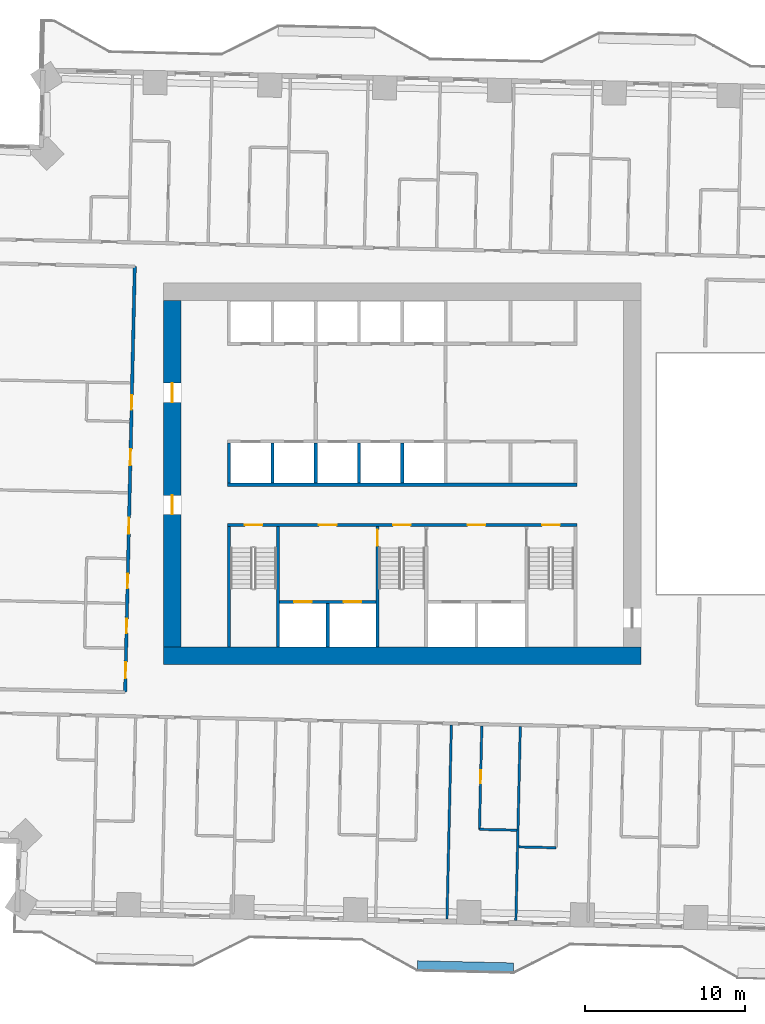
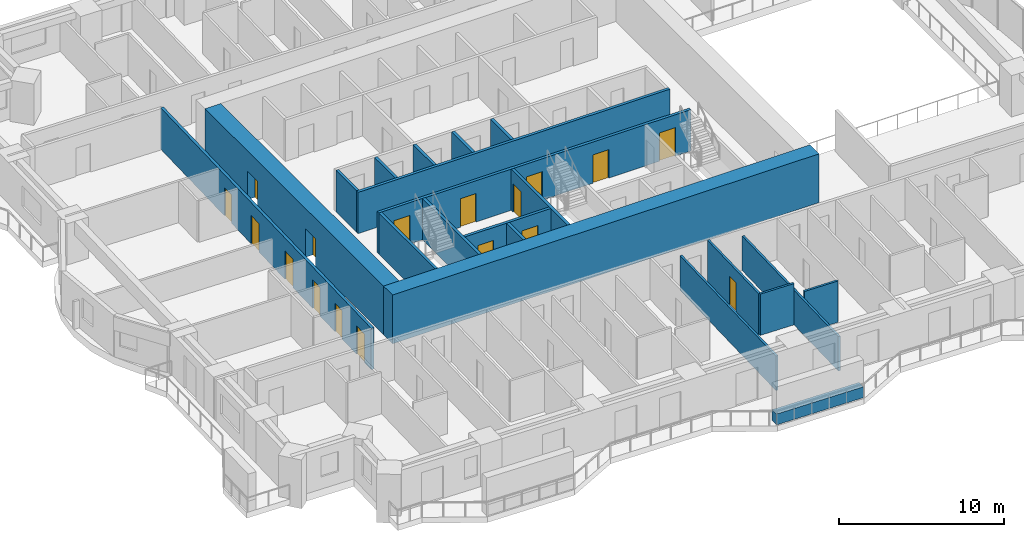
# One storey, part 8 of 19: 21 walls, 17 doors, 17 openings.
"""IFC4 building model written with IfcOpenShell, lengths in metres."""

from ifc_helpers import new_model, si_unit, direction, frame, frame_2d, origin, place, context, subcontext, project, spatial, rectangle, extrude, material, layer, layer_set, type_object, element, fill, save


model = new_model("IFC4")

# Units and contexts
model_context = context("Model", 3, precision=1e-05, world=origin(), true_north=direction((0.0, 1.0)))
body_context = subcontext(model_context, "Body", "Model", "MODEL_VIEW")
ifc_project = project(units=[si_unit("LENGTHUNIT", "METRE"), si_unit("AREAUNIT", "SQUARE_METRE"), si_unit("VOLUMEUNIT", "CUBIC_METRE"), si_unit("PLANEANGLEUNIT", "RADIAN"), si_unit("MASSUNIT", "GRAM", prefix="KILO")], contexts=[model_context])

# Site, building, storey
site_placement = place(None, origin())
site = spatial("IfcSite", under=ifc_project, at=site_placement, CompositionType="ELEMENT")
building_placement = place(site_placement, origin())
building = spatial("IfcBuilding", under=site, at=building_placement, Name="Mangrove Gate Tower", CompositionType="ELEMENT")
storey_placement = place(building_placement, frame((0.0, 0.0, 63.89990234375)))
storey = spatial("IfcBuildingStorey", under=building, at=storey_placement, Name="L15", CompositionType="ELEMENT", Elevation=63.89990234375)

# Wall
ifc_material_1 = material(Name="Concrete C70/85", Category="concrete")
ifc_layer_1 = layer(ifc_material_1, 0.199951171875)
ifc_layer_set_1 = layer_set([ifc_layer_1], Name="Core shaft wall 200 C70/85")
wall_type_1 = type_object("IfcWallType", Name="Core shaft wall 200 C70/85", PredefinedType="SHEAR", material=ifc_layer_set_1)
wall_1_placement = place(storey_placement, frame((-10.89990234375, -0.699951171875, 0.0), z_axis=(0.0, 0.0, 1.0), x_axis=(1.0, 0.0, 0.0)))
element("IfcWall", 1, at=wall_1_placement, inside=storey, type_object=wall_type_1, Name="WALL-L15-CORE-6", PredefinedType="SHEAR", context=body_context, shape_type="SweptSolid", body=[
    extrude(rectangle(XDim=21.7998046875, YDim=0.199951171875, at=frame_2d((10.89990234375, 0.0))), origin(), (0.0, 0.0, 1.0), 3.050048828125),
])

# Wall, openings, doors
wall_2_placement = place(storey_placement, frame((-7.64990234375, -8.0, 0.0), z_axis=(0.0, 0.0, 1.0), x_axis=(1.0, 0.0, 0.0)))
wall_2 = element("IfcWall", 2, at=wall_2_placement, inside=storey, type_object=wall_type_1, Name="WALL-L15-CORE-15", PredefinedType="SHEAR", context=body_context, shape_type="SweptSolid", body=[
    extrude(rectangle(XDim=6.0, YDim=0.199951171875, at=frame_2d((3.0, 0.0))), origin(), (0.0, 0.0, 1.0), 3.050048828125),
])
opening_1_placement = place(wall_2_placement, frame((0.89990234375, 0.0, 0.0)))
opening_1 = element("IfcOpeningElement", 3, at=opening_1_placement, cuts=wall_2, Name="Opening LD", PredefinedType="OPENING", context=body_context, shape_type="SweptSolid", body=[
    extrude(rectangle(XDim=1.10009765625, YDim=2.10009765625, at=frame_2d((0.550048828125, 1.050048828125))), frame((0.0, 0.10986328125, 0.0), z_axis=(0.0, -1.0, 0.0), x_axis=(1.0, 0.0, 0.0)), (0.0, 0.0, 1.0), 0.219970703125),
])
opening_2_placement = place(wall_2_placement, frame((4.0, 0.0, 0.0)))
opening_2 = element("IfcOpeningElement", 4, at=opening_2_placement, cuts=wall_2, Name="Opening LD", PredefinedType="OPENING", context=body_context, shape_type="SweptSolid", body=[
    extrude(rectangle(XDim=1.10009765625, YDim=2.10009765625, at=frame_2d((0.550048828125, 1.050048828125))), frame((0.0, 0.10986328125, 0.0), z_axis=(0.0, -1.0, 0.0), x_axis=(1.0, 0.0, 0.0)), (0.0, 0.0, 1.0), 0.219970703125),
])
ifc_material_2 = material(Name="Stainless steel 316", Category="steel")
door_type_1 = type_object("IfcDoorType", Name="Lift landing door 1100x2100", OperationType="SLIDING_TO_LEFT", PredefinedType="DOOR", material=ifc_material_2)
door_1_placement = place(opening_1_placement, origin())
door_1 = element("IfcDoor", 5, at=door_1_placement, inside=storey, type_object=door_type_1, Name="Landing door LD SVL1", OperationType="SLIDING_TO_LEFT", OverallHeight=2.10009765625, OverallWidth=1.10009765625, PredefinedType="DOOR", context=body_context, shape_type="SweptSolid", body=[
    extrude(rectangle(XDim=1.10009765625, YDim=2.10009765625, at=frame_2d((0.550048828125, 1.050048828125))), frame((0.0, 0.02490234375, 0.0), z_axis=(0.0, -1.0, 0.0), x_axis=(1.0, 0.0, 0.0)), (0.0, 0.0, 1.0), 0.050048828125),
])
fill(opening_1, door_1)
door_2_placement = place(opening_2_placement, origin())
door_2 = element("IfcDoor", 6, at=door_2_placement, inside=storey, type_object=door_type_1, Name="Landing door LD SVL2", OperationType="SLIDING_TO_LEFT", OverallHeight=2.10009765625, OverallWidth=1.10009765625, PredefinedType="DOOR", context=body_context, shape_type="SweptSolid", body=[
    extrude(rectangle(XDim=1.10009765625, YDim=2.10009765625, at=frame_2d((0.550048828125, 1.050048828125))), frame((0.0, 0.02490234375, 0.0), z_axis=(0.0, -1.0, 0.0), x_axis=(1.0, 0.0, 0.0)), (0.0, 0.0, 1.0), 0.050048828125),
])
fill(opening_2, door_2)

# Walls
wall_3_placement = place(storey_placement, frame((-4.64990234375, -10.800048828125, 0.0), z_axis=(0.0, 0.0, 1.0), x_axis=(0.0, 1.0, 0.0)))
element("IfcWall", 7, at=wall_3_placement, inside=storey, type_object=wall_type_1, Name="WALL-L15-CORE-16", PredefinedType="SHEAR", context=body_context, shape_type="SweptSolid", body=[
    extrude(rectangle(XDim=2.699951171875, YDim=0.199951171875, at=frame_2d((1.35009765625, 0.0))), origin(), (0.0, 0.0, 1.0), 3.050048828125),
])
for number, where, z_axis, x_axis, name in (
    (8, (-10.800048828125, -0.60009765625, 0.0), (0.0, 0.0, 1.0), (0.0, 1.0, 0.0), "WALL-L15-CORE-19"),
    (9, (-8.10009765625, -0.60009765625, 0.0), (0.0, 0.0, 1.0), (0.0, 1.0, 0.0), "WALL-L15-CORE-20"),
    (10, (-5.39990234375, -0.60009765625, 0.0), (0.0, 0.0, 1.0), (0.0, 1.0, 0.0), "WALL-L15-CORE-21"),
    (11, (-2.699951171875, -0.60009765625, 0.0), (0.0, 0.0, 1.0), (0.0, 1.0, 0.0), "WALL-L15-CORE-22"),
    (12, (0.0, -0.60009765625, 0.0), (0.0, 0.0, 1.0), (0.0, 1.0, 0.0), "WALL-L15-CORE-23"),
):
    element("IfcWall", number, at=place(storey_placement, frame(where, z_axis=z_axis, x_axis=x_axis)), inside=storey, type_object=wall_type_1, Name=name, PredefinedType="SHEAR", context=body_context, shape_type="SweptSolid", body=[
        extrude(rectangle(XDim=2.5, YDim=0.199951171875, at=frame_2d((1.25, 0.0))), origin(), (0.0, 0.0, 1.0), 3.050048828125),
    ])

# Wall, openings, doors
ifc_material_3 = material(Name="Concrete C70/85", Category="concrete")
ifc_layer_2 = layer(ifc_material_3, 0.199951171875)
ifc_layer_set_2 = layer_set([ifc_layer_2], Name="Core stair wall 200 C70/85")
wall_type_2 = type_object("IfcWallType", Name="Core stair wall 200 C70/85", PredefinedType="SHEAR", material=ifc_layer_set_2)
wall_4_placement = place(storey_placement, frame((-10.89990234375, -3.199951171875, 0.0), z_axis=(0.0, 0.0, 1.0), x_axis=(1.0, 0.0, 0.0)))
wall_4 = element("IfcWall", 13, at=wall_4_placement, inside=storey, type_object=wall_type_2, Name="WALL-L15-CORE-5", PredefinedType="SHEAR", context=body_context, shape_type="SweptSolid", body=[
    extrude(rectangle(XDim=21.7998046875, YDim=0.199951171875, at=frame_2d((10.89990234375, 0.0))), origin(), (0.0, 0.0, 1.0), 3.050048828125),
])
opening_3_placement = place(wall_4_placement, frame((1.074951171875, 0.0, 0.0)))
opening_3 = element("IfcOpeningElement", 14, at=opening_3_placement, cuts=wall_4, Name="Opening STD11", PredefinedType="OPENING", context=body_context, shape_type="SweptSolid", body=[
    extrude(rectangle(XDim=1.10009765625, YDim=2.10009765625, at=frame_2d((0.550048828125, 1.050048828125))), frame((0.0, 0.10986328125, 0.0), z_axis=(0.0, -1.0, 0.0), x_axis=(1.0, 0.0, 0.0)), (0.0, 0.0, 1.0), 0.219970703125),
])
opening_4_placement = place(wall_4_placement, frame((10.324951171875, 0.0, 0.0)))
opening_4 = element("IfcOpeningElement", 15, at=opening_4_placement, cuts=wall_4, Name="Opening STD11", PredefinedType="OPENING", context=body_context, shape_type="SweptSolid", body=[
    extrude(rectangle(XDim=1.10009765625, YDim=2.10009765625, at=frame_2d((0.550048828125, 1.050048828125))), frame((0.0, 0.10986328125, 0.0), z_axis=(0.0, -1.0, 0.0), x_axis=(1.0, 0.0, 0.0)), (0.0, 0.0, 1.0), 0.219970703125),
])
opening_5_placement = place(wall_4_placement, frame((19.625, 0.0, 0.0)))
opening_5 = element("IfcOpeningElement", 16, at=opening_5_placement, cuts=wall_4, Name="Opening STD11", PredefinedType="OPENING", context=body_context, shape_type="SweptSolid", body=[
    extrude(rectangle(XDim=1.10009765625, YDim=2.10009765625, at=frame_2d((0.550048828125, 1.050048828125))), frame((0.0, 0.10986328125, 0.0), z_axis=(0.0, -1.0, 0.0), x_axis=(1.0, 0.0, 0.0)), (0.0, 0.0, 1.0), 0.219970703125),
])
opening_6_placement = place(wall_4_placement, frame((5.699951171875, 0.0, 0.0)))
opening_6 = element("IfcOpeningElement", 17, at=opening_6_placement, cuts=wall_4, Name="Opening FL", PredefinedType="OPENING", context=body_context, shape_type="SweptSolid", body=[
    extrude(rectangle(XDim=1.10009765625, YDim=2.10009765625, at=frame_2d((0.550048828125, 1.050048828125))), frame((0.0, 0.10986328125, 0.0), z_axis=(0.0, -1.0, 0.0), x_axis=(1.0, 0.0, 0.0)), (0.0, 0.0, 1.0), 0.219970703125),
])
opening_7_placement = place(wall_4_placement, frame((14.97509765625, 0.0, 0.0)))
opening_7 = element("IfcOpeningElement", 18, at=opening_7_placement, cuts=wall_4, Name="Opening FL", PredefinedType="OPENING", context=body_context, shape_type="SweptSolid", body=[
    extrude(rectangle(XDim=1.10009765625, YDim=2.10009765625, at=frame_2d((0.550048828125, 1.050048828125))), frame((0.0, 0.10986328125, 0.0), z_axis=(0.0, -1.0, 0.0), x_axis=(1.0, 0.0, 0.0)), (0.0, 0.0, 1.0), 0.219970703125),
])
ifc_material_4 = material(Name="Fire-rated steel door set", Category="steel")
door_type_2 = type_object("IfcDoorType", Name="Lobby door FD60 1100x2100", OperationType="SINGLE_SWING_LEFT", PredefinedType="DOOR", material=ifc_material_4)
door_3_placement = place(opening_6_placement, origin())
door_3 = element("IfcDoor", 19, at=door_3_placement, inside=storey, type_object=door_type_2, Name="Lobby door service lobby", OperationType="SINGLE_SWING_LEFT", OverallHeight=2.10009765625, OverallWidth=1.10009765625, PredefinedType="DOOR", context=body_context, shape_type="SweptSolid", body=[
    extrude(rectangle(XDim=1.10009765625, YDim=2.10009765625, at=frame_2d((0.550048828125, 1.050048828125))), frame((0.0, 0.02490234375, 0.0), z_axis=(0.0, -1.0, 0.0), x_axis=(1.0, 0.0, 0.0)), (0.0, 0.0, 1.0), 0.050048828125),
])
fill(opening_6, door_3)
door_4_placement = place(opening_7_placement, origin())
door_4 = element("IfcDoor", 20, at=door_4_placement, inside=storey, type_object=door_type_2, Name="Lobby door fire-fighting lobby", OperationType="SINGLE_SWING_LEFT", OverallHeight=2.10009765625, OverallWidth=1.10009765625, PredefinedType="DOOR", context=body_context, shape_type="SweptSolid", body=[
    extrude(rectangle(XDim=1.10009765625, YDim=2.10009765625, at=frame_2d((0.550048828125, 1.050048828125))), frame((0.0, 0.02490234375, 0.0), z_axis=(0.0, -1.0, 0.0), x_axis=(1.0, 0.0, 0.0)), (0.0, 0.0, 1.0), 0.050048828125),
])
fill(opening_7, door_4)
ifc_material_5 = material(Name="Fire-rated steel door set", Category="steel")
door_type_3 = type_object("IfcDoorType", Name="Stair door FD60 1100x2100", OperationType="SINGLE_SWING_RIGHT", PredefinedType="DOOR", material=ifc_material_5)
door_5_placement = place(opening_3_placement, origin())
door_5 = element("IfcDoor", 21, at=door_5_placement, inside=storey, type_object=door_type_3, Name="Stair door Stair 1", OperationType="SINGLE_SWING_RIGHT", OverallHeight=2.10009765625, OverallWidth=1.10009765625, PredefinedType="DOOR", context=body_context, shape_type="SweptSolid", body=[
    extrude(rectangle(XDim=1.10009765625, YDim=2.10009765625, at=frame_2d((0.550048828125, 1.050048828125))), frame((0.0, 0.02490234375, 0.0), z_axis=(0.0, -1.0, 0.0), x_axis=(1.0, 0.0, 0.0)), (0.0, 0.0, 1.0), 0.050048828125),
])
fill(opening_3, door_5)
door_6_placement = place(opening_4_placement, origin())
door_6 = element("IfcDoor", 22, at=door_6_placement, inside=storey, type_object=door_type_3, Name="Stair door Stair 2", OperationType="SINGLE_SWING_RIGHT", OverallHeight=2.10009765625, OverallWidth=1.10009765625, PredefinedType="DOOR", context=body_context, shape_type="SweptSolid", body=[
    extrude(rectangle(XDim=1.10009765625, YDim=2.10009765625, at=frame_2d((0.550048828125, 1.050048828125))), frame((0.0, 0.02490234375, 0.0), z_axis=(0.0, -1.0, 0.0), x_axis=(1.0, 0.0, 0.0)), (0.0, 0.0, 1.0), 0.050048828125),
])
fill(opening_4, door_6)
door_7_placement = place(opening_5_placement, origin())
door_7 = element("IfcDoor", 23, at=door_7_placement, inside=storey, type_object=door_type_3, Name="Stair door Stair 3", OperationType="SINGLE_SWING_RIGHT", OverallHeight=2.10009765625, OverallWidth=1.10009765625, PredefinedType="DOOR", context=body_context, shape_type="SweptSolid", body=[
    extrude(rectangle(XDim=1.10009765625, YDim=2.10009765625, at=frame_2d((0.550048828125, 1.050048828125))), frame((0.0, 0.02490234375, 0.0), z_axis=(0.0, -1.0, 0.0), x_axis=(1.0, 0.0, 0.0)), (0.0, 0.0, 1.0), 0.050048828125),
])
fill(opening_5, door_7)

# Walls
for number, where, z_axis, x_axis, name in (
    (24, (-10.800048828125, -10.800048828125, 0.0), (0.0, 0.0, 1.0), (0.0, 1.0, 0.0), "WALL-L15-CORE-9"),
    (25, (-7.75, -10.800048828125, 0.0), (0.0, 0.0, 1.0), (0.0, 1.0, 0.0), "WALL-L15-CORE-10"),
):
    element("IfcWall", number, at=place(storey_placement, frame(where, z_axis=z_axis, x_axis=x_axis)), inside=storey, type_object=wall_type_2, Name=name, PredefinedType="SHEAR", context=body_context, shape_type="SweptSolid", body=[
        extrude(rectangle(XDim=7.5, YDim=0.199951171875, at=frame_2d((3.75, 0.0))), origin(), (0.0, 0.0, 1.0), 3.050048828125),
    ])

# Wall, opening, door
wall_5_placement = place(storey_placement, frame((-1.550048828125, -10.800048828125, 0.0), z_axis=(0.0, 0.0, 1.0), x_axis=(0.0, 1.0, 0.0)))
wall_5 = element("IfcWall", 26, at=wall_5_placement, inside=storey, type_object=wall_type_2, Name="WALL-L15-CORE-11", PredefinedType="SHEAR", context=body_context, shape_type="SweptSolid", body=[
    extrude(rectangle(XDim=7.5, YDim=0.199951171875, at=frame_2d((3.75, 0.0))), origin(), (0.0, 0.0, 1.0), 3.050048828125),
])
opening_8_placement = place(wall_5_placement, frame((6.300048828125, 0.0, 0.0)))
opening_8 = element("IfcOpeningElement", 27, at=opening_8_placement, cuts=wall_5, Name="Opening STD10", PredefinedType="OPENING", context=body_context, shape_type="SweptSolid", body=[
    extrude(rectangle(XDim=1.0, YDim=2.10009765625, at=frame_2d((0.5, 1.050048828125))), frame((0.0, 0.10986328125, 0.0), z_axis=(0.0, -1.0, 0.0), x_axis=(1.0, 0.0, 0.0)), (0.0, 0.0, 1.0), 0.219970703125),
])
ifc_material_6 = material(Name="Fire-rated steel door set", Category="steel")
door_type_4 = type_object("IfcDoorType", Name="Stair door FD60 1000x2100", OperationType="SINGLE_SWING_RIGHT", PredefinedType="DOOR", material=ifc_material_6)
door_8_placement = place(opening_8_placement, origin())
door_8 = element("IfcDoor", 28, at=door_8_placement, inside=storey, type_object=door_type_4, Name="Stair door Stair 2 from service lobby", OperationType="SINGLE_SWING_RIGHT", OverallHeight=2.10009765625, OverallWidth=1.0, PredefinedType="DOOR", context=body_context, shape_type="SweptSolid", body=[
    extrude(rectangle(XDim=1.0, YDim=2.10009765625, at=frame_2d((0.5, 1.050048828125))), frame((0.0, 0.02490234375, 0.0), z_axis=(0.0, -1.0, 0.0), x_axis=(1.0, 0.0, 0.0)), (0.0, 0.0, 1.0), 0.050048828125),
])
fill(opening_8, door_8)

# Wall
ifc_material_7 = material(Name="Concrete C70/85", Category="concrete")
ifc_layer_3 = layer(ifc_material_7, 1.10009765625)
ifc_layer_set_3 = layer_set([ifc_layer_3], Name="Core wall 1100 C70/85")
wall_type_3 = type_object("IfcWallType", Name="Core wall 1100 C70/85", PredefinedType="SHEAR", material=ifc_layer_set_3)
wall_6_placement = place(storey_placement, frame((-14.89990234375, -11.35009765625, 0.0), z_axis=(0.0, 0.0, 1.0), x_axis=(1.0, 0.0, 0.0)))
element("IfcWall", 29, at=wall_6_placement, inside=storey, type_object=wall_type_3, Name="WALL-L15-CORE-1", PredefinedType="SHEAR", context=body_context, shape_type="SweptSolid", body=[
    extrude(rectangle(XDim=29.7998046875, YDim=1.10009765625, at=frame_2d((14.89990234375, 0.0))), origin(), (0.0, 0.0, 1.0), 3.60009765625),
])

# Wall, openings, doors
wall_7_placement = place(storey_placement, frame((-14.35009765625, -10.800048828125, 0.0), z_axis=(0.0, 0.0, 1.0), x_axis=(0.0, 1.0, 0.0)))
wall_7 = element("IfcWall", 30, at=wall_7_placement, inside=storey, type_object=wall_type_3, Name="WALL-L15-CORE-3", PredefinedType="SHEAR", context=body_context, shape_type="SweptSolid", body=[
    extrude(rectangle(XDim=21.60009765625, YDim=1.10009765625, at=frame_2d((10.800048828125, 0.0))), origin(), (0.0, 0.0, 1.0), 3.60009765625),
])
opening_9_placement = place(wall_7_placement, frame((8.25, 0.0, 0.0)))
opening_9 = element("IfcOpeningElement", 31, at=opening_9_placement, cuts=wall_7, Name="Opening CD", PredefinedType="OPENING", context=body_context, shape_type="SweptSolid", body=[
    extrude(rectangle(XDim=1.199951171875, YDim=2.10009765625, at=frame_2d((0.60009765625, 1.050048828125))), frame((0.0, 0.56005859375, 0.0), z_axis=(0.0, -1.0, 0.0), x_axis=(1.0, 0.0, 0.0)), (0.0, 0.0, 1.0), 1.1201171875),
])
opening_10_placement = place(wall_7_placement, frame((15.25, 0.0, 0.0)))
opening_10 = element("IfcOpeningElement", 32, at=opening_10_placement, cuts=wall_7, Name="Opening CD", PredefinedType="OPENING", context=body_context, shape_type="SweptSolid", body=[
    extrude(rectangle(XDim=1.199951171875, YDim=2.10009765625, at=frame_2d((0.60009765625, 1.050048828125))), frame((0.0, 0.56005859375, 0.0), z_axis=(0.0, -1.0, 0.0), x_axis=(1.0, 0.0, 0.0)), (0.0, 0.0, 1.0), 1.1201171875),
])
ifc_material_8 = material(Name="Fire-rated steel door set", Category="steel")
door_type_5 = type_object("IfcDoorType", Name="Core ring door FD60 1200x2100", OperationType="DOUBLE_DOOR_SINGLE_SWING", PredefinedType="DOOR", material=ifc_material_8)
door_9_placement = place(opening_9_placement, origin())
door_9 = element("IfcDoor", 33, at=door_9_placement, inside=storey, type_object=door_type_5, Name="Core ring door W1", OperationType="DOUBLE_DOOR_SINGLE_SWING", OverallHeight=2.10009765625, OverallWidth=1.199951171875, PredefinedType="DOOR", context=body_context, shape_type="SweptSolid", body=[
    extrude(rectangle(XDim=1.199951171875, YDim=2.10009765625, at=frame_2d((0.60009765625, 1.050048828125))), frame((0.0, 0.02490234375, 0.0), z_axis=(0.0, -1.0, 0.0), x_axis=(1.0, 0.0, 0.0)), (0.0, 0.0, 1.0), 0.050048828125),
])
fill(opening_9, door_9)
door_10_placement = place(opening_10_placement, origin())
door_10 = element("IfcDoor", 34, at=door_10_placement, inside=storey, type_object=door_type_5, Name="Core ring door W2", OperationType="DOUBLE_DOOR_SINGLE_SWING", OverallHeight=2.10009765625, OverallWidth=1.199951171875, PredefinedType="DOOR", context=body_context, shape_type="SweptSolid", body=[
    extrude(rectangle(XDim=1.199951171875, YDim=2.10009765625, at=frame_2d((0.60009765625, 1.050048828125))), frame((0.0, 0.02490234375, 0.0), z_axis=(0.0, -1.0, 0.0), x_axis=(1.0, 0.0, 0.0)), (0.0, 0.0, 1.0), 0.050048828125),
])
fill(opening_10, door_10)

ifc_material_9 = material(Name="Gypsum board on steel stud, EI 60", Category="steel")
ifc_layer_4 = layer(ifc_material_9, 0.199951171875)
ifc_layer_set_4 = layer_set([ifc_layer_4], Name="Corridor wall EI 60")
wall_type_4 = type_object("IfcWallType", Name="Corridor wall EI 60", PredefinedType="PARTITIONING", material=ifc_layer_set_4)
wall_8_placement = place(storey_placement, frame((-17.287109375, -13.625, 0.0), z_axis=(0.0, 0.0, 1.0), x_axis=(0.022712214871, 0.999742044377, 0.0)))
wall_8 = element("IfcWall", 35, at=wall_8_placement, inside=storey, type_object=wall_type_4, Name="WALL-L15-038", PredefinedType="PARTITIONING", context=body_context, shape_type="SweptSolid", body=[
    extrude(rectangle(XDim=26.55078125, YDim=0.199951171875, at=frame_2d((13.275390625, 0.0))), origin(), (0.0, 0.0, 1.0), 3.050048828125),
])
opening_11_placement = place(wall_8_placement, frame((14.14990234375, 0.0, 0.0)))
opening_11 = element("IfcOpeningElement", 36, at=opening_11_placement, cuts=wall_8, Name="Opening AD", PredefinedType="OPENING", context=body_context, shape_type="SweptSolid", body=[
    extrude(rectangle(XDim=1.0, YDim=2.10009765625, at=frame_2d((0.5, 1.050048828125))), frame((0.0, 0.10986328125, 0.0), z_axis=(0.0, -1.0, 0.0), x_axis=(1.0, 0.0, 0.0)), (0.0, 0.0, 1.0), 0.219970703125),
])
opening_12_placement = place(wall_8_placement, frame((17.625, 0.0, 0.0)))
opening_12 = element("IfcOpeningElement", 37, at=opening_12_placement, cuts=wall_8, Name="Opening SD", PredefinedType="OPENING", context=body_context, shape_type="SweptSolid", body=[
    extrude(rectangle(XDim=0.89990234375, YDim=2.10009765625, at=frame_2d((0.449951171875, 1.050048828125))), frame((0.0, 0.10986328125, 0.0), z_axis=(0.0, -1.0, 0.0), x_axis=(1.0, 0.0, 0.0)), (0.0, 0.0, 1.0), 0.219970703125),
])
opening_13_placement = place(wall_8_placement, frame((9.875, 0.0, 0.0)))
opening_13 = element("IfcOpeningElement", 38, at=opening_13_placement, cuts=wall_8, Name="Opening AD", PredefinedType="OPENING", context=body_context, shape_type="SweptSolid", body=[
    extrude(rectangle(XDim=1.0, YDim=2.10009765625, at=frame_2d((0.5, 1.050048828125))), frame((0.0, 0.10986328125, 0.0), z_axis=(0.0, -1.0, 0.0), x_axis=(1.0, 0.0, 0.0)), (0.0, 0.0, 1.0), 0.219970703125),
])
opening_14_placement = place(wall_8_placement, frame((6.47509765625, 0.0, 0.0)))
opening_14 = element("IfcOpeningElement", 39, at=opening_14_placement, cuts=wall_8, Name="Opening SD", PredefinedType="OPENING", context=body_context, shape_type="SweptSolid", body=[
    extrude(rectangle(XDim=0.89990234375, YDim=2.10009765625, at=frame_2d((0.449951171875, 1.050048828125))), frame((0.0, 0.10986328125, 0.0), z_axis=(0.0, -1.0, 0.0), x_axis=(1.0, 0.0, 0.0)), (0.0, 0.0, 1.0), 0.219970703125),
])
opening_15_placement = place(wall_8_placement, frame((0.862060546875, 0.0, 0.0)))
opening_15 = element("IfcOpeningElement", 40, at=opening_15_placement, cuts=wall_8, Name="Opening AD", PredefinedType="OPENING", context=body_context, shape_type="SweptSolid", body=[
    extrude(rectangle(XDim=1.0, YDim=2.10009765625, at=frame_2d((0.5, 1.050048828125))), frame((0.0, 0.10986328125, 0.0), z_axis=(0.0, -1.0, 0.0), x_axis=(1.0, 0.0, 0.0)), (0.0, 0.0, 1.0), 0.219970703125),
])
opening_16_placement = place(wall_8_placement, frame((3.675048828125, 0.0, 0.0)))
opening_16 = element("IfcOpeningElement", 41, at=opening_16_placement, cuts=wall_8, Name="Opening SD", PredefinedType="OPENING", context=body_context, shape_type="SweptSolid", body=[
    extrude(rectangle(XDim=0.89990234375, YDim=2.10009765625, at=frame_2d((0.449951171875, 1.050048828125))), frame((0.0, 0.10986328125, 0.0), z_axis=(0.0, -1.0, 0.0), x_axis=(1.0, 0.0, 0.0)), (0.0, 0.0, 1.0), 0.219970703125),
])
ifc_material_10 = material(Name="Timber door leaf", Category="wood")
door_type_6 = type_object("IfcDoorType", Name="Amenity door 1000", OperationType="SINGLE_SWING_LEFT", PredefinedType="DOOR", material=ifc_material_10)
door_11_placement = place(opening_11_placement, origin())
door_11 = element("IfcDoor", 42, at=door_11_placement, inside=storey, type_object=door_type_6, Name="DOOR-L15-GAM-c5a", OperationType="SINGLE_SWING_RIGHT", OverallHeight=2.10009765625, OverallWidth=1.0, PredefinedType="DOOR", context=body_context, shape_type="SweptSolid", body=[
    extrude(rectangle(XDim=1.0, YDim=2.10009765625, at=frame_2d((0.5, 1.050048828125))), frame((0.0, 0.02490234375, 0.0), z_axis=(0.0, -1.0, 0.0), x_axis=(1.0, 0.0, 0.0)), (0.0, 0.0, 1.0), 0.050048828125),
])
fill(opening_11, door_11)
door_12_placement = place(opening_13_placement, origin())
door_12 = element("IfcDoor", 43, at=door_12_placement, inside=storey, type_object=door_type_6, Name="DOOR-L15-LNG-c5b", OperationType="SINGLE_SWING_LEFT", OverallHeight=2.10009765625, OverallWidth=1.0, PredefinedType="DOOR", context=body_context, shape_type="SweptSolid", body=[
    extrude(rectangle(XDim=1.0, YDim=2.10009765625, at=frame_2d((0.5, 1.050048828125))), frame((0.0, 0.02490234375, 0.0), z_axis=(0.0, -1.0, 0.0), x_axis=(1.0, 0.0, 0.0)), (0.0, 0.0, 1.0), 0.050048828125),
])
fill(opening_13, door_12)
door_13_placement = place(opening_15_placement, origin())
door_13 = element("IfcDoor", 44, at=door_13_placement, inside=storey, type_object=door_type_6, Name="DOOR-L15-GAM-c5b", OperationType="SINGLE_SWING_RIGHT", OverallHeight=2.10009765625, OverallWidth=1.0, PredefinedType="DOOR", context=body_context, shape_type="SweptSolid", body=[
    extrude(rectangle(XDim=1.0, YDim=2.10009765625, at=frame_2d((0.5, 1.050048828125))), frame((0.0, 0.02490234375, 0.0), z_axis=(0.0, -1.0, 0.0), x_axis=(1.0, 0.0, 0.0)), (0.0, 0.0, 1.0), 0.050048828125),
])
fill(opening_15, door_13)
ifc_material_11 = material(Name="Timber door leaf", Category="wood")
door_type_7 = type_object("IfcDoorType", Name="Service room door 900", OperationType="SINGLE_SWING_LEFT", PredefinedType="DOOR", material=ifc_material_11)
door_14_placement = place(opening_12_placement, origin())
door_14 = element("IfcDoor", 45, at=door_14_placement, inside=storey, type_object=door_type_7, Name="DOOR-L15-WC-c5b", OperationType="SINGLE_SWING_LEFT", OverallHeight=2.10009765625, OverallWidth=0.89990234375, PredefinedType="DOOR", context=body_context, shape_type="SweptSolid", body=[
    extrude(rectangle(XDim=0.89990234375, YDim=2.10009765625, at=frame_2d((0.449951171875, 1.050048828125))), frame((0.0, 0.02490234375, 0.0), z_axis=(0.0, -1.0, 0.0), x_axis=(1.0, 0.0, 0.0)), (0.0, 0.0, 1.0), 0.050048828125),
])
fill(opening_12, door_14)
door_15_placement = place(opening_14_placement, origin())
door_15 = element("IfcDoor", 46, at=door_15_placement, inside=storey, type_object=door_type_7, Name="DOOR-L15-LDY-c5a", OperationType="SINGLE_SWING_RIGHT", OverallHeight=2.10009765625, OverallWidth=0.89990234375, PredefinedType="DOOR", context=body_context, shape_type="SweptSolid", body=[
    extrude(rectangle(XDim=0.89990234375, YDim=2.10009765625, at=frame_2d((0.449951171875, 1.050048828125))), frame((0.0, 0.02490234375, 0.0), z_axis=(0.0, -1.0, 0.0), x_axis=(1.0, 0.0, 0.0)), (0.0, 0.0, 1.0), 0.050048828125),
])
fill(opening_14, door_15)
door_16_placement = place(opening_16_placement, origin())
door_16 = element("IfcDoor", 47, at=door_16_placement, inside=storey, type_object=door_type_7, Name="DOOR-L15-LDY-c5b", OperationType="SINGLE_SWING_LEFT", OverallHeight=2.10009765625, OverallWidth=0.89990234375, PredefinedType="DOOR", context=body_context, shape_type="SweptSolid", body=[
    extrude(rectangle(XDim=0.89990234375, YDim=2.10009765625, at=frame_2d((0.449951171875, 1.050048828125))), frame((0.0, 0.02490234375, 0.0), z_axis=(0.0, -1.0, 0.0), x_axis=(1.0, 0.0, 0.0)), (0.0, 0.0, 1.0), 0.050048828125),
])
fill(opening_16, door_16)

# Walls
ifc_material_12 = material(Name="Gypsum board on steel stud, EI 60", Category="steel")
ifc_layer_5 = layer(ifc_material_12, 0.14990234375)
ifc_layer_set_5 = layer_set([ifc_layer_5], Name="Party wall 150 EI 60")
wall_type_5 = type_object("IfcWallType", Name="Party wall 150 EI 60", PredefinedType="PARTITIONING", material=ifc_layer_set_5)
wall_9_placement = place(storey_placement, frame((2.787109375, -27.783935546875, 0.0), z_axis=(0.0, 0.0, 1.0), x_axis=(0.022719113715, 0.999741887625, 0.0)))
element("IfcWall", 48, at=wall_9_placement, inside=storey, type_object=wall_type_5, Name="WALL-L15-006", PredefinedType="PARTITIONING", context=body_context, shape_type="SweptSolid", body=[
    extrude(rectangle(XDim=12.10009765625, YDim=0.14990234375, at=frame_2d((6.050048828125, 0.0))), origin(), (0.0, 0.0, 1.0), 2.550048828125),
])
wall_10_placement = place(storey_placement, frame((7.0859375, -27.882080078125, 0.0), z_axis=(0.0, 0.0, 1.0), x_axis=(0.022736986912, 0.999741481297, 0.0)))
element("IfcWall", 49, at=wall_10_placement, inside=storey, type_object=wall_type_5, Name="WALL-L15-007", PredefinedType="PARTITIONING", context=body_context, shape_type="SweptSolid", body=[
    extrude(rectangle(XDim=12.101318359375, YDim=0.14990234375, at=frame_2d((6.05078125, 0.0))), origin(), (0.0, 0.0, 1.0), 2.550048828125),
])
wall_11_placement = place(storey_placement, frame((7.26806640625, -23.283935546875, 0.0), z_axis=(0.0, 0.0, 1.0), x_axis=(0.999740260747, -0.02279059109, 0.0)))
element("IfcWall", 50, at=wall_11_placement, inside=storey, type_object=wall_type_5, Name="WALL-L15-013", PredefinedType="PARTITIONING", context=body_context, shape_type="SweptSolid", body=[
    extrude(rectangle(XDim=2.324462890625, YDim=0.14990234375, at=frame_2d((1.162109375, 0.0))), origin(), (0.0, 0.0, 1.0), 3.050048828125),
])

# Wall, opening, door
wall_12_placement = place(storey_placement, frame((4.81494140625, -22.18798828125, 0.0), z_axis=(0.0, 0.0, 1.0), x_axis=(0.022601211511, 0.999744559994, 0.0)))
wall_12 = element("IfcWall", 51, at=wall_12_placement, inside=storey, type_object=wall_type_5, Name="WALL-L15-027", PredefinedType="PARTITIONING", context=body_context, shape_type="SweptSolid", body=[
    extrude(rectangle(XDim=6.459716796875, YDim=0.14990234375, at=frame_2d((3.22998046875, 0.0))), origin(), (0.0, 0.0, 1.0), 3.050048828125),
])
opening_17_placement = place(wall_12_placement, frame((2.8798828125, 0.0, 0.0)))
opening_17 = element("IfcOpeningElement", 52, at=opening_17_placement, cuts=wall_12, Name="Opening ED", PredefinedType="OPENING", context=body_context, shape_type="SweptSolid", body=[
    extrude(rectangle(XDim=0.800048828125, YDim=2.10009765625, at=frame_2d((0.39990234375, 1.050048828125))), frame((0.0, 0.0849609375, 0.0), z_axis=(0.0, -1.0, 0.0), x_axis=(1.0, 0.0, 0.0)), (0.0, 0.0, 1.0), 0.169921875),
])
ifc_material_13 = material(Name="Timber door leaf", Category="wood")
door_type_8 = type_object("IfcDoorType", Name="En-suite door 800", OperationType="SINGLE_SWING_LEFT", PredefinedType="DOOR", material=ifc_material_13)
door_17_placement = place(opening_17_placement, origin())
door_17 = element("IfcDoor", 53, at=door_17_placement, inside=storey, type_object=door_type_8, Name="DOOR-L15-ENS-c206", OperationType="SINGLE_SWING_RIGHT", OverallHeight=2.10009765625, OverallWidth=0.800048828125, PredefinedType="DOOR", context=body_context, shape_type="SweptSolid", body=[
    extrude(rectangle(XDim=0.800048828125, YDim=2.10009765625, at=frame_2d((0.39990234375, 1.050048828125))), frame((0.0, 0.02490234375, 0.0), z_axis=(0.0, -1.0, 0.0), x_axis=(1.0, 0.0, 0.0)), (0.0, 0.0, 1.0), 0.050048828125),
])
fill(opening_17, door_17)

# Walls
wall_13_placement = place(storey_placement, frame((4.81689453125, -22.18798828125, 0.0), z_axis=(0.0, 0.0, 1.0), x_axis=(0.99974031529, -0.022788198363, 0.0)))
element("IfcWall", 54, at=wall_13_placement, inside=storey, type_object=wall_type_5, Name="WALL-L15-028", PredefinedType="PARTITIONING", context=body_context, shape_type="SweptSolid", body=[
    extrude(rectangle(XDim=2.32470703125, YDim=0.14990234375, at=frame_2d((1.162353515625, 0.0))), origin(), (0.0, 0.0, 1.0), 3.050048828125),
])
ifc_material_14 = material(Name="Concrete C32/40", Category="concrete")
ifc_layer_6 = layer(ifc_material_14, 0.199951171875, Name="Planter trough wall")
ifc_material_15 = material(Name="Bituminous waterproofing membrane")
ifc_layer_7 = layer(ifc_material_15, 0.0048828125, Name="Waterproofing")
ifc_material_16 = material(Name="Drainage board and gravel")
ifc_layer_8 = layer(ifc_material_16, 0.044921875, Name="Drainage layer")
ifc_material_17 = material(Name="Planting soil")
ifc_layer_9 = layer(ifc_material_17, 0.300048828125, Name="Growing medium")
ifc_layer_set_6 = layer_set([ifc_layer_6, ifc_layer_7, ifc_layer_8, ifc_layer_9], Name="Planter wall 550 C32/40")
wall_type_6 = type_object("IfcWallType", Name="Planter wall 550 C32/40", PredefinedType="USERDEFINED", material=ifc_layer_set_6)
wall_14_placement = place(storey_placement, frame((0.94091796875, -30.657958984375, 0.0), z_axis=(0.0, 0.0, 1.0), x_axis=(0.999743178102, -0.022662255828, 0.0)))
element("IfcWall", 55, at=wall_14_placement, inside=storey, type_object=wall_type_6, Name="PLANTER L15 S1.1", ObjectType="PLANTER", PredefinedType="USERDEFINED", context=body_context, shape_type="SweptSolid", body=[
    extrude(rectangle(XDim=6.00048828125, YDim=0.550048828125, at=frame_2d((3.000244140625, 0.0))), origin(), (0.0, 0.0, 1.0), 0.800048828125),
])

save(model, "model.ifc")
